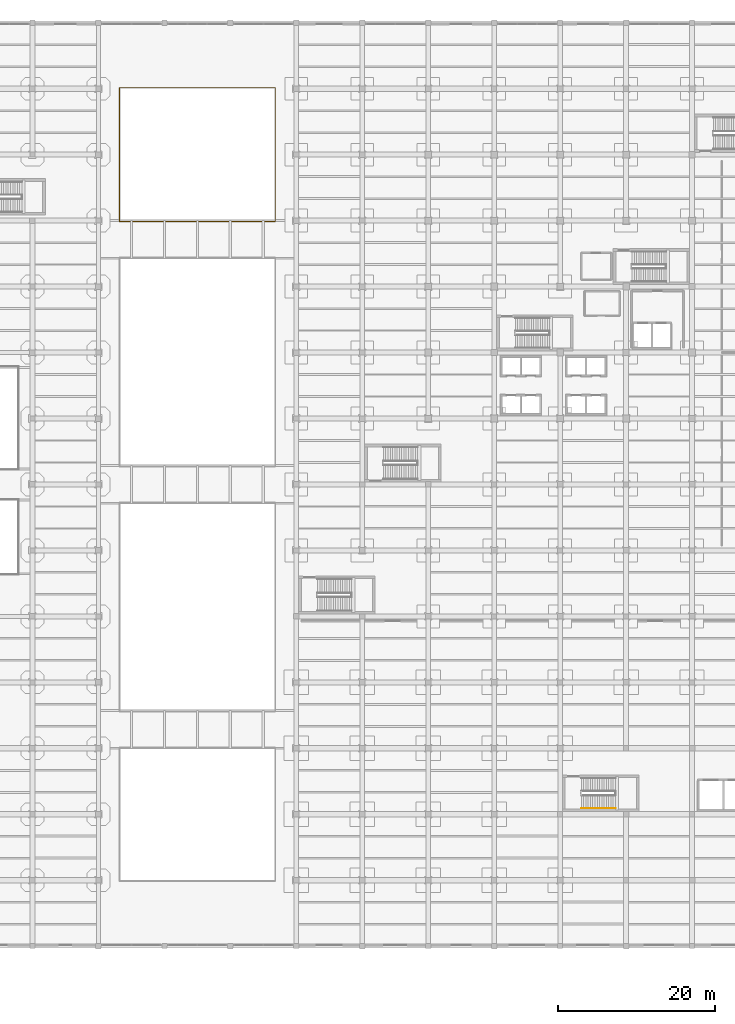
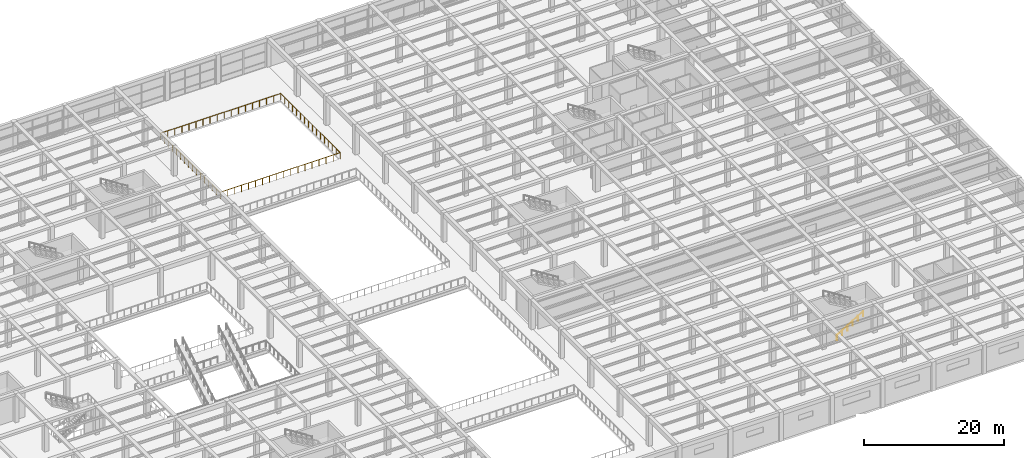
# One storey, part 92 of 95: 2 railings.
"""IFC4 building model written with IfcOpenShell, lengths in metres."""

from ifc_helpers import new_model, si_unit, direction, frame, origin, origin_2d, place, context, subcontext, project, spatial, circle, extrude, material, type_object, element, save


model = new_model("IFC4")

# Units and contexts
model_context = context("Model", 3, precision=1e-05, world=origin(), true_north=direction((0.0, 1.0)))
body_context = subcontext(model_context, "Body", "Model", "MODEL_VIEW")
ifc_project = project(units=[si_unit("LENGTHUNIT", "METRE"), si_unit("AREAUNIT", "SQUARE_METRE"), si_unit("VOLUMEUNIT", "CUBIC_METRE"), si_unit("PLANEANGLEUNIT", "RADIAN"), si_unit("MASSUNIT", "GRAM", prefix="KILO")], contexts=[model_context])

# Site, building, storey
site_placement = place(None, origin())
site = spatial("IfcSite", under=ifc_project, at=site_placement, CompositionType="ELEMENT")
building_placement = place(site_placement, origin())
building = spatial("IfcBuilding", under=site, at=building_placement, Name="Almacenes y Pasaje Nevantli", CompositionType="ELEMENT")
storey_placement = place(building_placement, frame((0.0, 0.0, 11.39990234375)))
storey = spatial("IfcBuildingStorey", under=building, at=storey_placement, Name="L03", CompositionType="ELEMENT", Elevation=11.39990234375)

# Railings
ifc_material_1 = material(Name="Brushed Stainless Steel and Tempered Safety Glass", Category="steel")
railing_type_1 = type_object("IfcRailingType", Name="RL-GUARD-1100", PredefinedType="BALUSTRADE", material=ifc_material_1)
railing_1_placement = place(storey_placement, frame((69.8798828125, 92.280029296875, 0.0)))
element("IfcRailing", 1, at=railing_1_placement, inside=storey, type_object=railing_type_1, Name="L03 Arcade Galleria Void VOID-ARC-4 Guard Balustrade", PredefinedType="BALUSTRADE", context=body_context, shape_type="SweptSolid", body=[
    extrude(circle(Radius=0.02392578125, at=origin_2d()), frame((0.030029296875, 0.0, 1.1259765625), z_axis=(1.0, 0.0, 0.0), x_axis=(0.0, 1.0, 0.0)), (0.0, 0.0, 1.0), 19.780029296875),
    extrude(circle(Radius=0.02392578125, at=origin_2d()), frame((19.840087890625, 0.030029296875, 1.1259765625), z_axis=(0.0, 1.0, 0.0), x_axis=(-1.0, 0.0, 0.0)), (0.0, 0.0, 1.0), 16.97998046875),
    extrude(circle(Radius=0.02392578125, at=origin_2d()), frame((19.81005859375, 17.0400390625, 1.1259765625), z_axis=(-1.0, 0.0, 0.0), x_axis=(0.0, -1.0, 0.0)), (0.0, 0.0, 1.0), 19.780029296875),
    extrude(circle(Radius=0.02392578125, at=origin_2d()), frame((0.0, 17.010009765625, 1.1259765625), z_axis=(0.0, -1.0, 0.0), x_axis=(1.0, 0.0, 0.0)), (0.0, 0.0, 1.0), 16.97998046875),
    extrude(circle(Radius=0.02099609375, at=origin_2d()), origin(), (0.0, 0.0, 1.0), 1.096923828125),
    extrude(circle(Radius=0.02099609375, at=origin_2d()), frame((1.1669921875, 0.0, 0.0)), (0.0, 0.0, 1.0), 1.096923828125),
    extrude(circle(Radius=0.02099609375, at=origin_2d()), frame((2.334228515625, 0.0, 0.0)), (0.0, 0.0, 1.0), 1.096923828125),
    extrude(circle(Radius=0.02099609375, at=origin_2d()), frame((3.501220703125, 0.0, 0.0)), (0.0, 0.0, 1.0), 1.096923828125),
    extrude(circle(Radius=0.02099609375, at=origin_2d()), frame((4.668212890625, 0.0, 0.0)), (0.0, 0.0, 1.0), 1.096923828125),
    extrude(circle(Radius=0.02099609375, at=origin_2d()), frame((5.835205078125, 0.0, 0.0)), (0.0, 0.0, 1.0), 1.096923828125),
    extrude(circle(Radius=0.02099609375, at=origin_2d()), frame((7.00244140625, 0.0, 0.0)), (0.0, 0.0, 1.0), 1.096923828125),
    extrude(circle(Radius=0.02099609375, at=origin_2d()), frame((8.16943359375, 0.0, 0.0)), (0.0, 0.0, 1.0), 1.096923828125),
    extrude(circle(Radius=0.02099609375, at=origin_2d()), frame((9.33642578125, 0.0, 0.0)), (0.0, 0.0, 1.0), 1.096923828125),
    extrude(circle(Radius=0.02099609375, at=origin_2d()), frame((10.503662109375, 0.0, 0.0)), (0.0, 0.0, 1.0), 1.096923828125),
    extrude(circle(Radius=0.02099609375, at=origin_2d()), frame((11.670654296875, 0.0, 0.0)), (0.0, 0.0, 1.0), 1.096923828125),
    extrude(circle(Radius=0.02099609375, at=origin_2d()), frame((12.837646484375, 0.0, 0.0)), (0.0, 0.0, 1.0), 1.096923828125),
    extrude(circle(Radius=0.02099609375, at=origin_2d()), frame((14.0048828125, 0.0, 0.0)), (0.0, 0.0, 1.0), 1.096923828125),
    extrude(circle(Radius=0.02099609375, at=origin_2d()), frame((15.171875, 0.0, 0.0)), (0.0, 0.0, 1.0), 1.096923828125),
    extrude(circle(Radius=0.02099609375, at=origin_2d()), frame((16.3388671875, 0.0, 0.0)), (0.0, 0.0, 1.0), 1.096923828125),
    extrude(circle(Radius=0.02099609375, at=origin_2d()), frame((17.505859375, 0.0, 0.0)), (0.0, 0.0, 1.0), 1.096923828125),
    extrude(circle(Radius=0.02099609375, at=origin_2d()), frame((18.673095703125, 0.0, 0.0)), (0.0, 0.0, 1.0), 1.096923828125),
    extrude(circle(Radius=0.02099609375, at=origin_2d()), frame((19.840087890625, 0.0, 0.0)), (0.0, 0.0, 1.0), 1.096923828125),
    extrude(circle(Radius=0.02099609375, at=origin_2d()), frame((19.840087890625, 1.135986328125, 0.0)), (0.0, 0.0, 1.0), 1.096923828125),
    extrude(circle(Radius=0.02099609375, at=origin_2d()), frame((19.840087890625, 2.27197265625, 0.0)), (0.0, 0.0, 1.0), 1.096923828125),
    extrude(circle(Radius=0.02099609375, at=origin_2d()), frame((19.840087890625, 3.407958984375, 0.0)), (0.0, 0.0, 1.0), 1.096923828125),
    extrude(circle(Radius=0.02099609375, at=origin_2d()), frame((19.840087890625, 4.5439453125, 0.0)), (0.0, 0.0, 1.0), 1.096923828125),
    extrude(circle(Radius=0.02099609375, at=origin_2d()), frame((19.840087890625, 5.679931640625, 0.0)), (0.0, 0.0, 1.0), 1.096923828125),
    extrude(circle(Radius=0.02099609375, at=origin_2d()), frame((19.840087890625, 6.81591796875, 0.0)), (0.0, 0.0, 1.0), 1.096923828125),
    extrude(circle(Radius=0.02099609375, at=origin_2d()), frame((19.840087890625, 7.951904296875, 0.0)), (0.0, 0.0, 1.0), 1.096923828125),
    extrude(circle(Radius=0.02099609375, at=origin_2d()), frame((19.840087890625, 9.088134765625, 0.0)), (0.0, 0.0, 1.0), 1.096923828125),
    extrude(circle(Radius=0.02099609375, at=origin_2d()), frame((19.840087890625, 10.22412109375, 0.0)), (0.0, 0.0, 1.0), 1.096923828125),
    extrude(circle(Radius=0.02099609375, at=origin_2d()), frame((19.840087890625, 11.360107421875, 0.0)), (0.0, 0.0, 1.0), 1.096923828125),
    extrude(circle(Radius=0.02099609375, at=origin_2d()), frame((19.840087890625, 12.49609375, 0.0)), (0.0, 0.0, 1.0), 1.096923828125),
    extrude(circle(Radius=0.02099609375, at=origin_2d()), frame((19.840087890625, 13.632080078125, 0.0)), (0.0, 0.0, 1.0), 1.096923828125),
    extrude(circle(Radius=0.02099609375, at=origin_2d()), frame((19.840087890625, 14.76806640625, 0.0)), (0.0, 0.0, 1.0), 1.096923828125),
    extrude(circle(Radius=0.02099609375, at=origin_2d()), frame((19.840087890625, 15.904052734375, 0.0)), (0.0, 0.0, 1.0), 1.096923828125),
    extrude(circle(Radius=0.02099609375, at=origin_2d()), frame((19.840087890625, 17.0400390625, 0.0)), (0.0, 0.0, 1.0), 1.096923828125),
    extrude(circle(Radius=0.02099609375, at=origin_2d()), frame((18.673095703125, 17.0400390625, 0.0)), (0.0, 0.0, 1.0), 1.096923828125),
    extrude(circle(Radius=0.02099609375, at=origin_2d()), frame((17.505859375, 17.0400390625, 0.0)), (0.0, 0.0, 1.0), 1.096923828125),
    extrude(circle(Radius=0.02099609375, at=origin_2d()), frame((16.3388671875, 17.0400390625, 0.0)), (0.0, 0.0, 1.0), 1.096923828125),
    extrude(circle(Radius=0.02099609375, at=origin_2d()), frame((15.171875, 17.0400390625, 0.0)), (0.0, 0.0, 1.0), 1.096923828125),
    extrude(circle(Radius=0.02099609375, at=origin_2d()), frame((14.0048828125, 17.0400390625, 0.0)), (0.0, 0.0, 1.0), 1.096923828125),
    extrude(circle(Radius=0.02099609375, at=origin_2d()), frame((12.837646484375, 17.0400390625, 0.0)), (0.0, 0.0, 1.0), 1.096923828125),
    extrude(circle(Radius=0.02099609375, at=origin_2d()), frame((11.670654296875, 17.0400390625, 0.0)), (0.0, 0.0, 1.0), 1.096923828125),
    extrude(circle(Radius=0.02099609375, at=origin_2d()), frame((10.503662109375, 17.0400390625, 0.0)), (0.0, 0.0, 1.0), 1.096923828125),
    extrude(circle(Radius=0.02099609375, at=origin_2d()), frame((9.33642578125, 17.0400390625, 0.0)), (0.0, 0.0, 1.0), 1.096923828125),
    extrude(circle(Radius=0.02099609375, at=origin_2d()), frame((8.16943359375, 17.0400390625, 0.0)), (0.0, 0.0, 1.0), 1.096923828125),
    extrude(circle(Radius=0.02099609375, at=origin_2d()), frame((7.00244140625, 17.0400390625, 0.0)), (0.0, 0.0, 1.0), 1.096923828125),
    extrude(circle(Radius=0.02099609375, at=origin_2d()), frame((5.835205078125, 17.0400390625, 0.0)), (0.0, 0.0, 1.0), 1.096923828125),
    extrude(circle(Radius=0.02099609375, at=origin_2d()), frame((4.668212890625, 17.0400390625, 0.0)), (0.0, 0.0, 1.0), 1.096923828125),
    extrude(circle(Radius=0.02099609375, at=origin_2d()), frame((3.501220703125, 17.0400390625, 0.0)), (0.0, 0.0, 1.0), 1.096923828125),
    extrude(circle(Radius=0.02099609375, at=origin_2d()), frame((2.334228515625, 17.0400390625, 0.0)), (0.0, 0.0, 1.0), 1.096923828125),
    extrude(circle(Radius=0.02099609375, at=origin_2d()), frame((1.1669921875, 17.0400390625, 0.0)), (0.0, 0.0, 1.0), 1.096923828125),
    extrude(circle(Radius=0.02099609375, at=origin_2d()), frame((0.0, 17.0400390625, 0.0)), (0.0, 0.0, 1.0), 1.096923828125),
    extrude(circle(Radius=0.02099609375, at=origin_2d()), frame((0.0, 15.904052734375, 0.0)), (0.0, 0.0, 1.0), 1.096923828125),
    extrude(circle(Radius=0.02099609375, at=origin_2d()), frame((0.0, 14.76806640625, 0.0)), (0.0, 0.0, 1.0), 1.096923828125),
    extrude(circle(Radius=0.02099609375, at=origin_2d()), frame((0.0, 13.632080078125, 0.0)), (0.0, 0.0, 1.0), 1.096923828125),
    extrude(circle(Radius=0.02099609375, at=origin_2d()), frame((0.0, 12.49609375, 0.0)), (0.0, 0.0, 1.0), 1.096923828125),
    extrude(circle(Radius=0.02099609375, at=origin_2d()), frame((0.0, 11.360107421875, 0.0)), (0.0, 0.0, 1.0), 1.096923828125),
    extrude(circle(Radius=0.02099609375, at=origin_2d()), frame((0.0, 10.22412109375, 0.0)), (0.0, 0.0, 1.0), 1.096923828125),
    extrude(circle(Radius=0.02099609375, at=origin_2d()), frame((0.0, 9.088134765625, 0.0)), (0.0, 0.0, 1.0), 1.096923828125),
    extrude(circle(Radius=0.02099609375, at=origin_2d()), frame((0.0, 7.951904296875, 0.0)), (0.0, 0.0, 1.0), 1.096923828125),
    extrude(circle(Radius=0.02099609375, at=origin_2d()), frame((0.0, 6.81591796875, 0.0)), (0.0, 0.0, 1.0), 1.096923828125),
    extrude(circle(Radius=0.02099609375, at=origin_2d()), frame((0.0, 5.679931640625, 0.0)), (0.0, 0.0, 1.0), 1.096923828125),
    extrude(circle(Radius=0.02099609375, at=origin_2d()), frame((0.0, 4.5439453125, 0.0)), (0.0, 0.0, 1.0), 1.096923828125),
    extrude(circle(Radius=0.02099609375, at=origin_2d()), frame((0.0, 3.407958984375, 0.0)), (0.0, 0.0, 1.0), 1.096923828125),
    extrude(circle(Radius=0.02099609375, at=origin_2d()), frame((0.0, 2.27197265625, 0.0)), (0.0, 0.0, 1.0), 1.096923828125),
    extrude(circle(Radius=0.02099609375, at=origin_2d()), frame((0.0, 1.135986328125, 0.0)), (0.0, 0.0, 1.0), 1.096923828125),
])
ifc_material_2 = material(Name="Brushed Stainless Steel Tube", Category="steel")
railing_type_2 = type_object("IfcRailingType", Name="RL-HANDRAIL-900", PredefinedType="HANDRAIL", material=ifc_material_2)
railing_2_placement = place(storey_placement, frame((128.699951171875, 17.56005859375, 0.0)))
element("IfcRailing", 2, at=railing_2_placement, inside=storey, type_object=railing_type_2, Name="L03 Stair ST-06 Lower Flight Handrail", PredefinedType="HANDRAIL", context=body_context, shape_type="SweptSolid", body=[
    extrude(circle(Radius=0.02392578125, at=origin_2d()), frame((0.025390625, 0.0, 0.8916015625), z_axis=(0.849628378081, 0.0, 0.527381853271), x_axis=(0.0, 1.0, 0.0)), (0.0, 0.0, 1.0), 5.06005859375),
    extrude(circle(Radius=0.02099609375, at=origin_2d()), origin(), (0.0, 0.0, 1.0), 0.846923828125),
    extrude(circle(Radius=0.02099609375, at=origin_2d()), frame((0.8701171875, 0.0, 0.5400390625)), (0.0, 0.0, 1.0), 0.846923828125),
    extrude(circle(Radius=0.02099609375, at=origin_2d()), frame((1.739990234375, 0.0, 1.080078125)), (0.0, 0.0, 1.0), 0.846923828125),
    extrude(circle(Radius=0.02099609375, at=origin_2d()), frame((2.610107421875, 0.0, 1.6201171875)), (0.0, 0.0, 1.0), 0.846923828125),
    extrude(circle(Radius=0.02099609375, at=origin_2d()), frame((3.47998046875, 0.0, 2.16015625)), (0.0, 0.0, 1.0), 0.846923828125),
    extrude(circle(Radius=0.02099609375, at=origin_2d()), frame((4.35009765625, 0.0, 2.7001953125)), (0.0, 0.0, 1.0), 0.846923828125),
])

save(model, "model.ifc")
